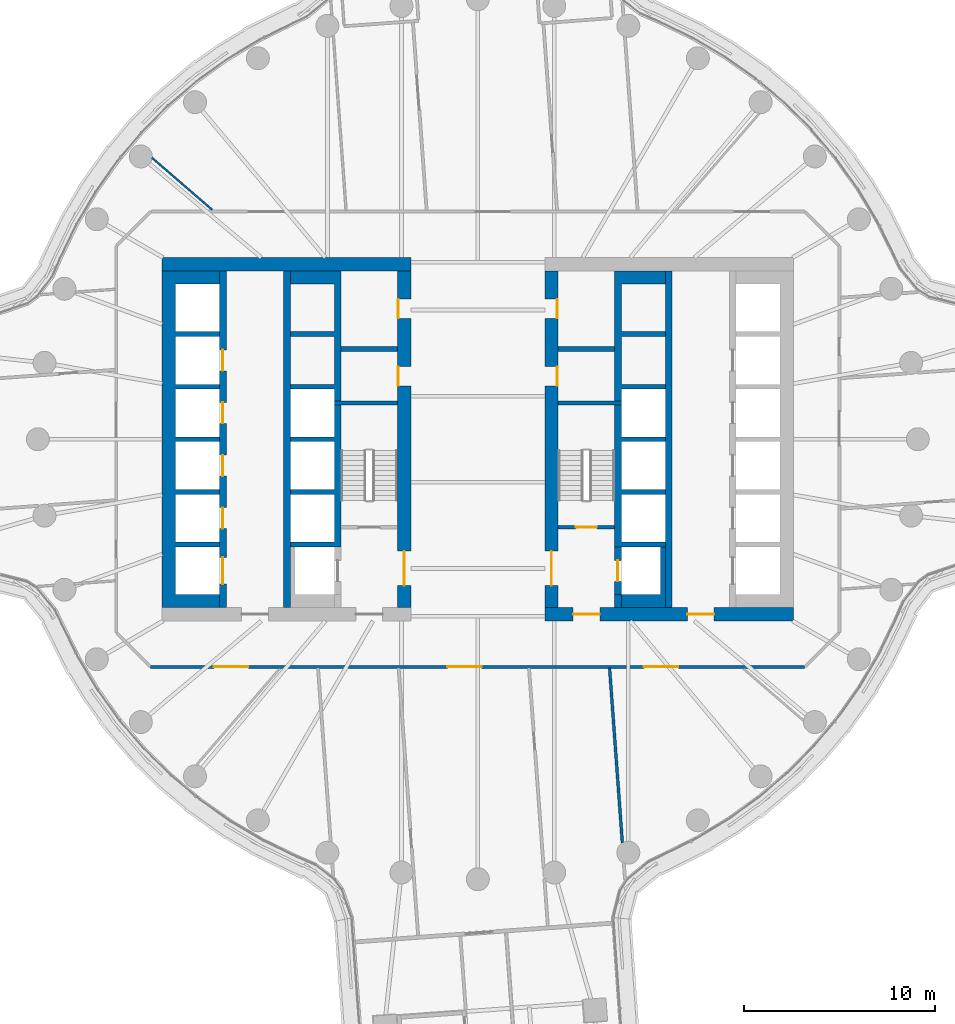
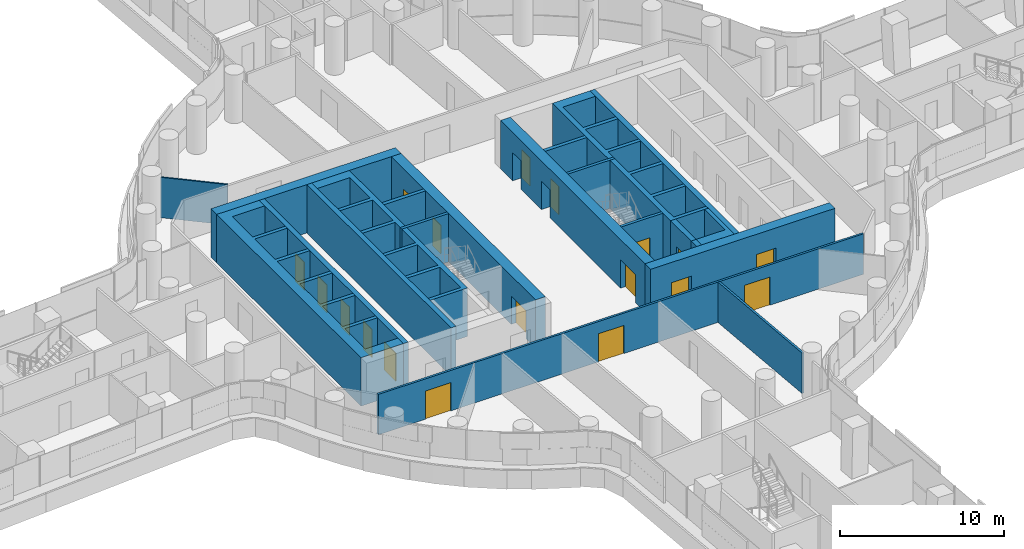
# One storey, part 21 of 31: 21 walls, 18 doors, 18 openings.
"""IFC4 building model written with IfcOpenShell, lengths in metres."""

from ifc_helpers import new_model, si_unit, direction, frame, frame_2d, origin, place, context, subcontext, project, spatial, polyline, rectangle, outline, extrude, material, layer, layer_set, type_object, element, fill, save


model = new_model("IFC4")

# Units and contexts
model_context = context("Model", 3, precision=1e-05, world=origin(), true_north=direction((0.0, 1.0)))
body_context = subcontext(model_context, "Body", "Model", "MODEL_VIEW")
ifc_project = project(units=[si_unit("LENGTHUNIT", "METRE"), si_unit("AREAUNIT", "SQUARE_METRE"), si_unit("VOLUMEUNIT", "CUBIC_METRE"), si_unit("PLANEANGLEUNIT", "RADIAN"), si_unit("MASSUNIT", "GRAM", prefix="KILO")], contexts=[model_context])

# Site, building, storey
site_placement = place(None, origin())
site = spatial("IfcSite", under=ifc_project, at=site_placement, CompositionType="ELEMENT")
building_placement = place(site_placement, origin())
building = spatial("IfcBuilding", under=site, at=building_placement, Name="Tamarind Cross Interchange Tower", CompositionType="ELEMENT")
storey_placement = place(building_placement, frame((0.0, 0.0, 49.0)))
storey = spatial("IfcBuildingStorey", under=building, at=storey_placement, Name="L10", CompositionType="ELEMENT", Elevation=49.0)

# Walls
ifc_material_1 = material(Name="Concrete C80", Category="concrete")
ifc_layer_1 = layer(ifc_material_1, 0.699951171875)
ifc_layer_set_1 = layer_set([ifc_layer_1], Name="Concrete C80")
wall_type_1 = type_object("IfcWallType", Name="Core wall 700 mm Concrete C80", PredefinedType="SHEAR", material=ifc_layer_set_1)
wall_1_placement = place(storey_placement, origin())
element("IfcWall", 1, at=wall_1_placement, inside=storey, type_object=wall_type_1, Name="Core wall CWL-L10-W-A", PredefinedType="SHEAR", context=body_context, shape_type="SweptSolid", body=[
    extrude(outline(polyline([(-13.5, -8.800048828125), (-13.5, -8.125), (-15.800048828125, -8.125), (-15.800048828125, -5.625), (-13.5, -5.625), (-13.5, -5.375), (-15.800048828125, -5.375), (-15.800048828125, -2.875), (-13.5, -2.875), (-13.5, -2.625), (-15.800048828125, -2.625), (-15.800048828125, -0.125), (-13.5, -0.125), (-13.5, 0.125), (-15.800048828125, 0.125), (-15.800048828125, 2.625), (-13.5, 2.625), (-13.5, 2.875), (-15.800048828125, 2.875), (-15.800048828125, 5.375), (-13.5, 5.375), (-13.5, 5.625), (-15.800048828125, 5.625), (-15.800048828125, 8.125), (-13.5, 8.125), (-13.5, 8.800048828125), (-15.800048828125, 8.800048828125), (-16.5, 8.800048828125), (-16.5, -8.800048828125), (-15.800048828125, -8.800048828125), (-13.5, -8.800048828125)])), origin(), (0.0, 0.0, 1.0), 3.610107421875),
])
wall_2_placement = place(storey_placement, frame((-16.5, 9.14990234375, 0.0), z_axis=(0.0, 0.0, 1.0), x_axis=(1.0, 0.0, 0.0)))
element("IfcWall", 2, at=wall_2_placement, inside=storey, type_object=wall_type_1, Name="Core wall CWL-L10-W-NE", PredefinedType="SHEAR", context=body_context, shape_type="SweptSolid", body=[
    extrude(rectangle(XDim=13.0, YDim=0.699951171875, at=frame_2d((6.5, 0.0))), origin(), (0.0, 0.0, 1.0), 3.610107421875),
])

# Wall, openings, doors
wall_3_placement = place(storey_placement, frame((-3.85009765625, -8.800048828125, 0.0), z_axis=(0.0, 0.0, 1.0), x_axis=(0.0, 1.0, 0.0)))
wall_3 = element("IfcWall", 3, at=wall_3_placement, inside=storey, type_object=wall_type_1, Name="Core wall CWL-L10-W-IN", PredefinedType="SHEAR", context=body_context, shape_type="SweptSolid", body=[
    extrude(rectangle(XDim=17.60009765625, YDim=0.699951171875, at=frame_2d((8.800048828125, 0.0))), origin(), (0.0, 0.0, 1.0), 3.610107421875),
])
opening_1_placement = place(wall_3_placement, frame((1.14990234375, 0.0, 0.0)))
opening_1 = element("IfcOpeningElement", 4, at=opening_1_placement, cuts=wall_3, Name="Opening DCW4", PredefinedType="OPENING", context=body_context, shape_type="SweptSolid", body=[
    extrude(rectangle(XDim=1.800048828125, YDim=2.10009765625, at=frame_2d((0.89990234375, 1.050048828125))), frame((0.0, 0.35986328125, 0.0), z_axis=(0.0, -1.0, 0.0), x_axis=(1.0, 0.0, 0.0)), (0.0, 0.0, 1.0), 0.719970703125),
])
opening_2_placement = place(wall_3_placement, frame((11.597412109375, 0.0, 0.0)))
opening_2 = element("IfcOpeningElement", 5, at=opening_2_placement, cuts=wall_3, Name="Opening DCW5", PredefinedType="OPENING", context=body_context, shape_type="SweptSolid", body=[
    extrude(rectangle(XDim=1.0, YDim=2.10009765625, at=frame_2d((0.5, 1.050048828125))), frame((0.0, 0.35986328125, 0.0), z_axis=(0.0, -1.0, 0.0), x_axis=(1.0, 0.0, 0.0)), (0.0, 0.0, 1.0), 0.719970703125),
])
opening_3_placement = place(wall_3_placement, frame((15.12255859375, 0.0, 0.0)))
opening_3 = element("IfcOpeningElement", 6, at=opening_3_placement, cuts=wall_3, Name="Opening DCW5", PredefinedType="OPENING", context=body_context, shape_type="SweptSolid", body=[
    extrude(rectangle(XDim=1.0, YDim=2.10009765625, at=frame_2d((0.5, 1.050048828125))), frame((0.0, 0.35986328125, 0.0), z_axis=(0.0, -1.0, 0.0), x_axis=(1.0, 0.0, 0.0)), (0.0, 0.0, 1.0), 0.719970703125),
])
ifc_material_2 = material(Name="Steel, fire-resisting", Category="steel")
door_type_1 = type_object("IfcDoorType", Name="Core fire door 1000 x 2100 FD90", OperationType="SINGLE_SWING_LEFT", PredefinedType="DOOR", material=ifc_material_2)
door_1_placement = place(opening_2_placement, origin())
door_1 = element("IfcDoor", 7, at=door_1_placement, inside=storey, type_object=door_type_1, Name="L10 comms room door", OperationType="SINGLE_SWING_LEFT", OverallHeight=2.10009765625, OverallWidth=1.0, PredefinedType="DOOR", context=body_context, shape_type="SweptSolid", body=[
    extrude(rectangle(XDim=1.0, YDim=2.10009765625, at=frame_2d((0.5, 1.050048828125))), frame((0.0, 0.3251953125, 0.0), z_axis=(0.0, -1.0, 0.0), x_axis=(1.0, 0.0, 0.0)), (0.0, 0.0, 1.0), 0.050048828125),
])
fill(opening_2, door_1)
door_2_placement = place(opening_3_placement, origin())
door_2 = element("IfcDoor", 8, at=door_2_placement, inside=storey, type_object=door_type_1, Name="L10 cleaner's store door", OperationType="SINGLE_SWING_LEFT", OverallHeight=2.10009765625, OverallWidth=1.0, PredefinedType="DOOR", context=body_context, shape_type="SweptSolid", body=[
    extrude(rectangle(XDim=1.0, YDim=2.10009765625, at=frame_2d((0.5, 1.050048828125))), frame((0.0, 0.3251953125, 0.0), z_axis=(0.0, -1.0, 0.0), x_axis=(1.0, 0.0, 0.0)), (0.0, 0.0, 1.0), 0.050048828125),
])
fill(opening_3, door_2)
door_type_2 = type_object("IfcDoorType", Name="Core fire door 1800 x 2100 FD90", OperationType="SINGLE_SWING_LEFT", PredefinedType="DOOR", material=ifc_material_2)
door_3_placement = place(opening_1_placement, origin())
door_3 = element("IfcDoor", 9, at=door_3_placement, inside=storey, type_object=door_type_2, Name="L10 firefighting lobby door", OperationType="SINGLE_SWING_LEFT", OverallHeight=2.10009765625, OverallWidth=1.800048828125, PredefinedType="DOOR", context=body_context, shape_type="SweptSolid", body=[
    extrude(rectangle(XDim=1.800048828125, YDim=2.10009765625, at=frame_2d((0.89990234375, 1.050048828125))), frame((0.0, 0.02490234375, 0.0), z_axis=(0.0, -1.0, 0.0), x_axis=(1.0, 0.0, 0.0)), (0.0, 0.0, 1.0), 0.050048828125),
])
fill(opening_1, door_3)

wall_4_placement = place(storey_placement, frame((16.5, -9.14990234375, 0.0), z_axis=(0.0, 0.0, 1.0), x_axis=(-1.0, 0.0, 0.0)))
wall_4 = element("IfcWall", 10, at=wall_4_placement, inside=storey, type_object=wall_type_1, Name="Core wall CWL-L10-E-S", PredefinedType="SHEAR", context=body_context, shape_type="SweptSolid", body=[
    extrude(rectangle(XDim=13.0, YDim=0.699951171875, at=frame_2d((6.5, 0.0))), origin(), (0.0, 0.0, 1.0), 3.610107421875),
])
opening_4_placement = place(wall_4_placement, frame((4.14990234375, 0.0, 0.0)))
opening_4 = element("IfcOpeningElement", 11, at=opening_4_placement, cuts=wall_4, Name="Opening DCE1", PredefinedType="OPENING", context=body_context, shape_type="SweptSolid", body=[
    extrude(rectangle(XDim=1.39990234375, YDim=2.10009765625, at=frame_2d((0.699951171875, 1.050048828125))), frame((0.0, 0.35986328125, 0.0), z_axis=(0.0, -1.0, 0.0), x_axis=(1.0, 0.0, 0.0)), (0.0, 0.0, 1.0), 0.719970703125),
])
opening_5_placement = place(wall_4_placement, frame((10.125, 0.0, 0.0)))
opening_5 = element("IfcOpeningElement", 12, at=opening_5_placement, cuts=wall_4, Name="Opening DCEF", PredefinedType="OPENING", context=body_context, shape_type="SweptSolid", body=[
    extrude(rectangle(XDim=1.39990234375, YDim=2.10009765625, at=frame_2d((0.699951171875, 1.050048828125))), frame((0.0, 0.35986328125, 0.0), z_axis=(0.0, -1.0, 0.0), x_axis=(1.0, 0.0, 0.0)), (0.0, 0.0, 1.0), 0.719970703125),
])
door_type_3 = type_object("IfcDoorType", Name="Core fire door 1400 x 2100 FD90", OperationType="SINGLE_SWING_LEFT", PredefinedType="DOOR", material=ifc_material_2)
door_4_placement = place(opening_4_placement, origin())
door_4 = element("IfcDoor", 13, at=door_4_placement, inside=storey, type_object=door_type_3, Name="L10 lift lobby door", OperationType="SINGLE_SWING_LEFT", OverallHeight=2.10009765625, OverallWidth=1.39990234375, PredefinedType="DOOR", context=body_context, shape_type="SweptSolid", body=[
    extrude(rectangle(XDim=1.39990234375, YDim=2.10009765625, at=frame_2d((0.699951171875, 1.050048828125))), frame((0.0, 0.02490234375, 0.0), z_axis=(0.0, -1.0, 0.0), x_axis=(1.0, 0.0, 0.0)), (0.0, 0.0, 1.0), 0.050048828125),
])
fill(opening_4, door_4)
door_5_placement = place(opening_5_placement, origin())
door_5 = element("IfcDoor", 14, at=door_5_placement, inside=storey, type_object=door_type_3, Name="L10 firefighting lobby end door", OperationType="SINGLE_SWING_LEFT", OverallHeight=2.10009765625, OverallWidth=1.39990234375, PredefinedType="DOOR", context=body_context, shape_type="SweptSolid", body=[
    extrude(rectangle(XDim=1.39990234375, YDim=2.10009765625, at=frame_2d((0.699951171875, 1.050048828125))), frame((0.0, 0.02490234375, 0.0), z_axis=(0.0, -1.0, 0.0), x_axis=(1.0, 0.0, 0.0)), (0.0, 0.0, 1.0), 0.050048828125),
])
fill(opening_5, door_5)

wall_5_placement = place(storey_placement, frame((3.85009765625, -8.800048828125, 0.0), z_axis=(0.0, 0.0, 1.0), x_axis=(0.0, 1.0, 0.0)))
wall_5 = element("IfcWall", 15, at=wall_5_placement, inside=storey, type_object=wall_type_1, Name="Core wall CWL-L10-E-IN", PredefinedType="SHEAR", context=body_context, shape_type="SweptSolid", body=[
    extrude(rectangle(XDim=17.60009765625, YDim=0.699951171875, at=frame_2d((8.800048828125, 0.0))), origin(), (0.0, 0.0, 1.0), 3.610107421875),
])
opening_6_placement = place(wall_5_placement, frame((1.14990234375, 0.0, 0.0)))
opening_6 = element("IfcOpeningElement", 16, at=opening_6_placement, cuts=wall_5, Name="Opening DCE4", PredefinedType="OPENING", context=body_context, shape_type="SweptSolid", body=[
    extrude(rectangle(XDim=1.800048828125, YDim=2.10009765625, at=frame_2d((0.89990234375, 1.050048828125))), frame((0.0, 0.35986328125, 0.0), z_axis=(0.0, -1.0, 0.0), x_axis=(1.0, 0.0, 0.0)), (0.0, 0.0, 1.0), 0.719970703125),
])
opening_7_placement = place(wall_5_placement, frame((11.597412109375, 0.0, 0.0)))
opening_7 = element("IfcOpeningElement", 17, at=opening_7_placement, cuts=wall_5, Name="Opening DCE5", PredefinedType="OPENING", context=body_context, shape_type="SweptSolid", body=[
    extrude(rectangle(XDim=1.0, YDim=2.10009765625, at=frame_2d((0.5, 1.050048828125))), frame((0.0, 0.35986328125, 0.0), z_axis=(0.0, -1.0, 0.0), x_axis=(1.0, 0.0, 0.0)), (0.0, 0.0, 1.0), 0.719970703125),
])
opening_8_placement = place(wall_5_placement, frame((15.12255859375, 0.0, 0.0)))
opening_8 = element("IfcOpeningElement", 18, at=opening_8_placement, cuts=wall_5, Name="Opening DCE5", PredefinedType="OPENING", context=body_context, shape_type="SweptSolid", body=[
    extrude(rectangle(XDim=1.0, YDim=2.10009765625, at=frame_2d((0.5, 1.050048828125))), frame((0.0, 0.35986328125, 0.0), z_axis=(0.0, -1.0, 0.0), x_axis=(1.0, 0.0, 0.0)), (0.0, 0.0, 1.0), 0.719970703125),
])
door_6_placement = place(opening_7_placement, origin())
door_6 = element("IfcDoor", 19, at=door_6_placement, inside=storey, type_object=door_type_1, Name="L10 comms room door", OperationType="SINGLE_SWING_LEFT", OverallHeight=2.10009765625, OverallWidth=1.0, PredefinedType="DOOR", context=body_context, shape_type="SweptSolid", body=[
    extrude(rectangle(XDim=1.0, YDim=2.10009765625, at=frame_2d((0.5, 1.050048828125))), frame((0.0, -0.27490234375, 0.0), z_axis=(0.0, -1.0, 0.0), x_axis=(1.0, 0.0, 0.0)), (0.0, 0.0, 1.0), 0.050048828125),
])
fill(opening_7, door_6)
door_7_placement = place(opening_8_placement, origin())
door_7 = element("IfcDoor", 20, at=door_7_placement, inside=storey, type_object=door_type_1, Name="L10 cleaner's store door", OperationType="SINGLE_SWING_LEFT", OverallHeight=2.10009765625, OverallWidth=1.0, PredefinedType="DOOR", context=body_context, shape_type="SweptSolid", body=[
    extrude(rectangle(XDim=1.0, YDim=2.10009765625, at=frame_2d((0.5, 1.050048828125))), frame((0.0, -0.27490234375, 0.0), z_axis=(0.0, -1.0, 0.0), x_axis=(1.0, 0.0, 0.0)), (0.0, 0.0, 1.0), 0.050048828125),
])
fill(opening_8, door_7)
door_8_placement = place(opening_6_placement, origin())
door_8 = element("IfcDoor", 21, at=door_8_placement, inside=storey, type_object=door_type_2, Name="L10 firefighting lobby door", OperationType="SINGLE_SWING_LEFT", OverallHeight=2.10009765625, OverallWidth=1.800048828125, PredefinedType="DOOR", context=body_context, shape_type="SweptSolid", body=[
    extrude(rectangle(XDim=1.800048828125, YDim=2.10009765625, at=frame_2d((0.89990234375, 1.050048828125))), frame((0.0, 0.02490234375, 0.0), z_axis=(0.0, -1.0, 0.0), x_axis=(1.0, 0.0, 0.0)), (0.0, 0.0, 1.0), 0.050048828125),
])
fill(opening_6, door_8)

# Walls
ifc_layer_2 = layer(ifc_material_1, 0.199951171875)
ifc_layer_set_2 = layer_set([ifc_layer_2], Name="Concrete C80")
wall_type_2 = type_object("IfcWallType", Name="Core web wall 200 mm Concrete C80", PredefinedType="SHEAR", material=ifc_layer_set_2)
for number, where, z_axis, x_axis, name in (
    (22, (-7.5, 1.89990234375, 0.0), (0.0, 0.0, 1.0), (1.0, 0.0, 0.0), "Core wall CWL-L10-W-BD"),
    (23, (7.5, 1.89990234375, 0.0), (0.0, 0.0, 1.0), (-1.0, 0.0, 0.0), "Core wall CWL-L10-E-BD"),
):
    element("IfcWall", number, at=place(storey_placement, frame(where, z_axis=z_axis, x_axis=x_axis)), inside=storey, type_object=wall_type_2, Name=name, PredefinedType="SHEAR", context=body_context, shape_type="SweptSolid", body=[
        extrude(rectangle(XDim=3.300048828125, YDim=0.199951171875, at=frame_2d((1.64990234375, 0.0))), origin(), (0.0, 0.0, 1.0), 3.610107421875),
    ])
ifc_layer_3 = layer(ifc_material_1, 0.35009765625)
ifc_layer_set_3 = layer_set([ifc_layer_3], Name="Concrete C80")
wall_type_3 = type_object("IfcWallType", Name="Core web wall 350 mm Concrete C80", PredefinedType="SHEAR", material=ifc_layer_set_3)
wall_6_placement = place(storey_placement, origin())
element("IfcWall", 24, at=wall_6_placement, inside=storey, type_object=wall_type_3, Name="Core wall CWL-L10-W-BN", PredefinedType="SHEAR", context=body_context, shape_type="SweptSolid", body=[
    extrude(outline(polyline([(-9.800048828125, -5.375), (-9.800048828125, -5.625), (-7.5, -5.625), (-7.14990234375, -5.625), (-7.14990234375, 8.800048828125), (-7.5, 8.800048828125), (-9.800048828125, 8.800048828125), (-9.800048828125, 8.125), (-7.5, 8.125), (-7.5, 5.625), (-9.800048828125, 5.625), (-9.800048828125, 5.375), (-7.5, 5.375), (-7.5, 2.875), (-9.800048828125, 2.875), (-9.800048828125, 2.625), (-7.5, 2.625), (-7.5, 0.125), (-9.800048828125, 0.125), (-9.800048828125, -0.125), (-7.5, -0.125), (-7.5, -2.625), (-9.800048828125, -2.625), (-9.800048828125, -2.875), (-7.5, -2.875), (-7.5, -5.375), (-9.800048828125, -5.375)])), origin(), (0.0, 0.0, 1.0), 3.610107421875),
])

# Wall, openings, doors
wall_7_placement = place(storey_placement, frame((-13.324951171875, -8.800048828125, 0.0), z_axis=(0.0, 0.0, 1.0), x_axis=(0.0, 1.0, 0.0)))
wall_7 = element("IfcWall", 25, at=wall_7_placement, inside=storey, type_object=wall_type_3, Name="Core wall CWL-L10-W-LA", PredefinedType="SHEAR", context=body_context, shape_type="SweptSolid", body=[
    extrude(rectangle(XDim=17.60009765625, YDim=0.35009765625, at=frame_2d((8.800048828125, 0.0))), origin(), (0.0, 0.0, 1.0), 3.610107421875),
])
opening_9_placement = place(wall_7_placement, frame((1.22509765625, 0.0, 0.0)))
opening_9 = element("IfcOpeningElement", 26, at=opening_9_placement, cuts=wall_7, Name="Opening LD1L10", PredefinedType="OPENING", context=body_context, shape_type="SweptSolid", body=[
    extrude(rectangle(XDim=1.39990234375, YDim=2.10009765625, at=frame_2d((0.699951171875, 1.050048828125))), frame((0.0, 0.18505859375, 0.0), z_axis=(0.0, -1.0, 0.0), x_axis=(1.0, 0.0, 0.0)), (0.0, 0.0, 1.0), 0.3701171875),
])
opening_10_placement = place(wall_7_placement, frame((4.125, 0.0, 0.0)))
opening_10 = element("IfcOpeningElement", 27, at=opening_10_placement, cuts=wall_7, Name="Opening LD2L10", PredefinedType="OPENING", context=body_context, shape_type="SweptSolid", body=[
    extrude(rectangle(XDim=1.10009765625, YDim=2.10009765625, at=frame_2d((0.550048828125, 1.050048828125))), frame((0.0, 0.18505859375, 0.0), z_axis=(0.0, -1.0, 0.0), x_axis=(1.0, 0.0, 0.0)), (0.0, 0.0, 1.0), 0.3701171875),
])
opening_11_placement = place(wall_7_placement, frame((6.875, 0.0, 0.0)))
opening_11 = element("IfcOpeningElement", 28, at=opening_11_placement, cuts=wall_7, Name="Opening LD3L10", PredefinedType="OPENING", context=body_context, shape_type="SweptSolid", body=[
    extrude(rectangle(XDim=1.10009765625, YDim=2.10009765625, at=frame_2d((0.550048828125, 1.050048828125))), frame((0.0, 0.18505859375, 0.0), z_axis=(0.0, -1.0, 0.0), x_axis=(1.0, 0.0, 0.0)), (0.0, 0.0, 1.0), 0.3701171875),
])
opening_12_placement = place(wall_7_placement, frame((9.625, 0.0, 0.0)))
opening_12 = element("IfcOpeningElement", 29, at=opening_12_placement, cuts=wall_7, Name="Opening LD4L10", PredefinedType="OPENING", context=body_context, shape_type="SweptSolid", body=[
    extrude(rectangle(XDim=1.10009765625, YDim=2.10009765625, at=frame_2d((0.550048828125, 1.050048828125))), frame((0.0, 0.18505859375, 0.0), z_axis=(0.0, -1.0, 0.0), x_axis=(1.0, 0.0, 0.0)), (0.0, 0.0, 1.0), 0.3701171875),
])
opening_13_placement = place(wall_7_placement, frame((12.375, 0.0, 0.0)))
opening_13 = element("IfcOpeningElement", 30, at=opening_13_placement, cuts=wall_7, Name="Opening LD5L10", PredefinedType="OPENING", context=body_context, shape_type="SweptSolid", body=[
    extrude(rectangle(XDim=1.10009765625, YDim=2.10009765625, at=frame_2d((0.550048828125, 1.050048828125))), frame((0.0, 0.18505859375, 0.0), z_axis=(0.0, -1.0, 0.0), x_axis=(1.0, 0.0, 0.0)), (0.0, 0.0, 1.0), 0.3701171875),
])
ifc_material_3 = material(Name="Stainless steel panel", Category="steel")
door_type_4 = type_object("IfcDoorType", Name="Lift landing door 1100 x 2100 E 120", OperationType="SLIDING_TO_LEFT", PredefinedType="DOOR", material=ifc_material_3)
door_9_placement = place(opening_10_placement, origin())
door_9 = element("IfcDoor", 31, at=door_9_placement, inside=storey, type_object=door_type_4, Name="L10 landing door LF2", OperationType="SLIDING_TO_LEFT", OverallHeight=2.10009765625, OverallWidth=1.10009765625, PredefinedType="DOOR", context=body_context, shape_type="SweptSolid", body=[
    extrude(rectangle(XDim=1.10009765625, YDim=2.10009765625, at=frame_2d((0.550048828125, 1.050048828125))), frame((0.0, 0.02490234375, 0.0), z_axis=(0.0, -1.0, 0.0), x_axis=(1.0, 0.0, 0.0)), (0.0, 0.0, 1.0), 0.050048828125),
])
fill(opening_10, door_9)
door_10_placement = place(opening_11_placement, origin())
door_10 = element("IfcDoor", 32, at=door_10_placement, inside=storey, type_object=door_type_4, Name="L10 landing door LF3", OperationType="SLIDING_TO_LEFT", OverallHeight=2.10009765625, OverallWidth=1.10009765625, PredefinedType="DOOR", context=body_context, shape_type="SweptSolid", body=[
    extrude(rectangle(XDim=1.10009765625, YDim=2.10009765625, at=frame_2d((0.550048828125, 1.050048828125))), frame((0.0, 0.02490234375, 0.0), z_axis=(0.0, -1.0, 0.0), x_axis=(1.0, 0.0, 0.0)), (0.0, 0.0, 1.0), 0.050048828125),
])
fill(opening_11, door_10)
door_11_placement = place(opening_12_placement, origin())
door_11 = element("IfcDoor", 33, at=door_11_placement, inside=storey, type_object=door_type_4, Name="L10 landing door LF4", OperationType="SLIDING_TO_LEFT", OverallHeight=2.10009765625, OverallWidth=1.10009765625, PredefinedType="DOOR", context=body_context, shape_type="SweptSolid", body=[
    extrude(rectangle(XDim=1.10009765625, YDim=2.10009765625, at=frame_2d((0.550048828125, 1.050048828125))), frame((0.0, 0.02490234375, 0.0), z_axis=(0.0, -1.0, 0.0), x_axis=(1.0, 0.0, 0.0)), (0.0, 0.0, 1.0), 0.050048828125),
])
fill(opening_12, door_11)
door_12_placement = place(opening_13_placement, origin())
door_12 = element("IfcDoor", 34, at=door_12_placement, inside=storey, type_object=door_type_4, Name="L10 landing door LF5", OperationType="SLIDING_TO_LEFT", OverallHeight=2.10009765625, OverallWidth=1.10009765625, PredefinedType="DOOR", context=body_context, shape_type="SweptSolid", body=[
    extrude(rectangle(XDim=1.10009765625, YDim=2.10009765625, at=frame_2d((0.550048828125, 1.050048828125))), frame((0.0, 0.02490234375, 0.0), z_axis=(0.0, -1.0, 0.0), x_axis=(1.0, 0.0, 0.0)), (0.0, 0.0, 1.0), 0.050048828125),
])
fill(opening_13, door_12)
door_type_5 = type_object("IfcDoorType", Name="Lift landing door 1400 x 2100 E 120", OperationType="SLIDING_TO_LEFT", PredefinedType="DOOR", material=ifc_material_3)
door_13_placement = place(opening_9_placement, origin())
door_13 = element("IfcDoor", 35, at=door_13_placement, inside=storey, type_object=door_type_5, Name="L10 landing door LF1", OperationType="SLIDING_TO_LEFT", OverallHeight=2.10009765625, OverallWidth=1.39990234375, PredefinedType="DOOR", context=body_context, shape_type="SweptSolid", body=[
    extrude(rectangle(XDim=1.39990234375, YDim=2.10009765625, at=frame_2d((0.699951171875, 1.050048828125))), frame((0.0, 0.02490234375, 0.0), z_axis=(0.0, -1.0, 0.0), x_axis=(1.0, 0.0, 0.0)), (0.0, 0.0, 1.0), 0.050048828125),
])
fill(opening_9, door_13)

# Walls
wall_8_placement = place(storey_placement, frame((-9.97509765625, -8.800048828125, 0.0), z_axis=(0.0, 0.0, 1.0), x_axis=(0.0, 1.0, 0.0)))
element("IfcWall", 36, at=wall_8_placement, inside=storey, type_object=wall_type_3, Name="Core wall CWL-L10-W-LB", PredefinedType="SHEAR", context=body_context, shape_type="SweptSolid", body=[
    extrude(rectangle(XDim=17.60009765625, YDim=0.35009765625, at=frame_2d((8.800048828125, 0.0))), origin(), (0.0, 0.0, 1.0), 3.610107421875),
])
wall_9_placement = place(storey_placement, origin())
element("IfcWall", 37, at=wall_9_placement, inside=storey, type_object=wall_type_3, Name="Core wall CWL-L10-E-BN", PredefinedType="SHEAR", context=body_context, shape_type="SweptSolid", body=[
    extrude(outline(polyline([(9.800048828125, -5.375), (7.5, -5.375), (7.5, -2.875), (9.800048828125, -2.875), (9.800048828125, -2.625), (7.5, -2.625), (7.5, -0.125), (9.800048828125, -0.125), (9.800048828125, 0.125), (7.5, 0.125), (7.5, 2.625), (9.800048828125, 2.625), (9.800048828125, 2.875), (7.5, 2.875), (7.5, 5.375), (9.800048828125, 5.375), (9.800048828125, 5.625), (7.5, 5.625), (7.5, 8.125), (9.800048828125, 8.125), (9.800048828125, 8.800048828125), (7.5, 8.800048828125), (7.14990234375, 8.800048828125), (7.14990234375, -5.625), (7.5, -5.625), (9.800048828125, -5.625), (9.800048828125, -5.375)])), origin(), (0.0, 0.0, 1.0), 3.610107421875),
])
wall_10_placement = place(storey_placement, origin())
element("IfcWall", 38, at=wall_10_placement, inside=storey, type_object=wall_type_3, Name="Core wall CWL-L10-E-BS", PredefinedType="SHEAR", context=body_context, shape_type="SweptSolid", body=[
    extrude(outline(polyline([(7.5, -8.125), (7.5, -8.800048828125), (9.800048828125, -8.800048828125), (9.800048828125, -8.125), (9.800048828125, -5.625), (9.550048828125, -5.625), (9.550048828125, -8.125), (7.5, -8.125)])), origin(), (0.0, 0.0, 1.0), 3.610107421875),
])
wall_11_placement = place(storey_placement, frame((7.324951171875, -8.800048828125, 0.0), z_axis=(0.0, 0.0, 1.0), x_axis=(0.0, 1.0, 0.0)))
element("IfcWall", 39, at=wall_11_placement, inside=storey, type_object=wall_type_3, Name="Core wall CWL-L10-E-BW", PredefinedType="SHEAR", context=body_context, shape_type="SweptSolid", body=[
    extrude(rectangle(XDim=0.675048828125, YDim=0.35009765625, at=frame_2d((0.33740234375, 0.0))), origin(), (0.0, 0.0, 1.0), 3.610107421875),
])
wall_12_placement = place(storey_placement, frame((9.97509765625, -8.800048828125, 0.0), z_axis=(0.0, 0.0, 1.0), x_axis=(0.0, 1.0, 0.0)))
element("IfcWall", 40, at=wall_12_placement, inside=storey, type_object=wall_type_3, Name="Core wall CWL-L10-E-LB", PredefinedType="SHEAR", context=body_context, shape_type="SweptSolid", body=[
    extrude(rectangle(XDim=17.60009765625, YDim=0.35009765625, at=frame_2d((8.800048828125, 0.0))), origin(), (0.0, 0.0, 1.0), 3.610107421875),
])

# Wall, opening, door
wall_13_placement = place(storey_placement, frame((7.324951171875, -8.125, 0.0), z_axis=(0.0, 0.0, 1.0), x_axis=(0.0, 1.0, 0.0)))
wall_13 = element("IfcWall", 41, at=wall_13_placement, inside=storey, type_object=wall_type_3, Name="Core wall CWL-L10-E-FF", PredefinedType="SHEAR", context=body_context, shape_type="SweptSolid", body=[
    extrude(rectangle(XDim=2.5, YDim=0.35009765625, at=frame_2d((1.25, 0.0))), origin(), (0.0, 0.0, 1.0), 3.610107421875),
])
opening_14_placement = place(wall_13_placement, frame((0.699951171875, 0.0, 0.0)))
opening_14 = element("IfcOpeningElement", 42, at=opening_14_placement, cuts=wall_13, Name="Opening LD19L10", PredefinedType="OPENING", context=body_context, shape_type="SweptSolid", body=[
    extrude(rectangle(XDim=1.10009765625, YDim=2.10009765625, at=frame_2d((0.550048828125, 1.050048828125))), frame((0.0, 0.18505859375, 0.0), z_axis=(0.0, -1.0, 0.0), x_axis=(1.0, 0.0, 0.0)), (0.0, 0.0, 1.0), 0.3701171875),
])
door_14_placement = place(opening_14_placement, origin())
door_14 = element("IfcDoor", 43, at=door_14_placement, inside=storey, type_object=door_type_4, Name="L10 landing door LF19", OperationType="SLIDING_TO_LEFT", OverallHeight=2.10009765625, OverallWidth=1.10009765625, PredefinedType="DOOR", context=body_context, shape_type="SweptSolid", body=[
    extrude(rectangle(XDim=1.10009765625, YDim=2.10009765625, at=frame_2d((0.550048828125, 1.050048828125))), frame((0.0, 0.02490234375, 0.0), z_axis=(0.0, -1.0, 0.0), x_axis=(1.0, 0.0, 0.0)), (0.0, 0.0, 1.0), 0.050048828125),
])
fill(opening_14, door_14)

# Walls
ifc_material_4 = material(Name="Gypsum board partition on steel studs", Category="steel")
ifc_layer_4 = layer(ifc_material_4, 0.10009765625)
ifc_layer_set_4 = layer_set([ifc_layer_4], Name="Gypsum board partition on steel studs")
wall_type_4 = type_object("IfcWallType", Name="Partition 100 mm EI 120", PredefinedType="PARTITIONING", material=ifc_layer_set_4)
wall_14_placement = place(storey_placement, frame((-17.02880859375, 14.7099609375, 0.0), z_axis=(0.0, 0.0, 1.0), x_axis=(0.756748987317, -0.653705568429, 0.0)))
element("IfcWall", 44, at=wall_14_placement, inside=storey, type_object=wall_type_4, Name="Partition L10-037", PredefinedType="PARTITIONING", context=body_context, shape_type="SweptSolid", body=[
    extrude(rectangle(XDim=4.1533203125, YDim=0.10009765625, at=frame_2d((2.07666015625, 0.0))), origin(), (0.0, 0.0, 1.0), 3.010009765625),
])
ifc_layer_5 = layer(ifc_material_4, 0.14990234375)
ifc_layer_set_5 = layer_set([ifc_layer_5], Name="Gypsum board partition on steel studs")
wall_type_5 = type_object("IfcWallType", Name="Partition 150 mm EI 120", PredefinedType="PARTITIONING", material=ifc_layer_set_5)
wall_15_placement = place(storey_placement, frame((6.88671875, -11.96484375, 0.0), z_axis=(0.0, 0.0, 1.0), x_axis=(0.072907683345, -0.997338693579, 0.0)))
element("IfcWall", 45, at=wall_15_placement, inside=storey, type_object=wall_type_5, Name="Partition L10-025", PredefinedType="PARTITIONING", context=body_context, shape_type="SweptSolid", body=[
    extrude(rectangle(XDim=9.15185546875, YDim=0.14990234375, at=frame_2d((4.575927734375, 0.0))), origin(), (0.0, 0.0, 1.0), 3.010009765625),
])

# Wall, openings, doors
wall_16_placement = place(storey_placement, frame((-17.10009765625, -11.89990234375, 0.0), z_axis=(0.0, 0.0, 1.0), x_axis=(1.0, 0.0, 0.0)))
wall_16 = element("IfcWall", 46, at=wall_16_placement, inside=storey, type_object=wall_type_5, Name="Partition L10-039", PredefinedType="PARTITIONING", context=body_context, shape_type="SweptSolid", body=[
    extrude(rectangle(XDim=34.1650390625, YDim=0.14990234375, at=frame_2d((17.08251953125, 0.0))), origin(), (0.0, 0.0, 1.0), 3.010009765625),
])
opening_15_placement = place(wall_16_placement, frame((15.5029296875, 0.0, 0.0)))
opening_15 = element("IfcOpeningElement", 47, at=opening_15_placement, cuts=wall_16, Name="Opening D18", PredefinedType="OPENING", context=body_context, shape_type="SweptSolid", body=[
    extrude(rectangle(XDim=1.800048828125, YDim=2.10009765625, at=frame_2d((0.89990234375, 1.050048828125))), frame((0.0, 0.0849609375, 0.0), z_axis=(0.0, -1.0, 0.0), x_axis=(1.0, 0.0, 0.0)), (0.0, 0.0, 1.0), 0.169921875),
])
opening_16_placement = place(wall_16_placement, frame((3.300048828125, 0.0, 0.0)))
opening_16 = element("IfcOpeningElement", 48, at=opening_16_placement, cuts=wall_16, Name="Opening D19", PredefinedType="OPENING", context=body_context, shape_type="SweptSolid", body=[
    extrude(rectangle(XDim=1.800048828125, YDim=2.10009765625, at=frame_2d((0.89990234375, 1.050048828125))), frame((0.0, 0.0849609375, 0.0), z_axis=(0.0, -1.0, 0.0), x_axis=(1.0, 0.0, 0.0)), (0.0, 0.0, 1.0), 0.169921875),
])
opening_17_placement = place(wall_16_placement, frame((25.781982421875, 0.0, 0.0)))
opening_17 = element("IfcOpeningElement", 49, at=opening_17_placement, cuts=wall_16, Name="Opening D20", PredefinedType="OPENING", context=body_context, shape_type="SweptSolid", body=[
    extrude(rectangle(XDim=1.800048828125, YDim=2.10009765625, at=frame_2d((0.89990234375, 1.050048828125))), frame((0.0, 0.0849609375, 0.0), z_axis=(0.0, -1.0, 0.0), x_axis=(1.0, 0.0, 0.0)), (0.0, 0.0, 1.0), 0.169921875),
])
ifc_material_5 = material(Name="Fire-resisting door set")
door_type_6 = type_object("IfcDoorType", Name="Interior door 1800 x 2100 FD60S", OperationType="DOUBLE_DOOR_SINGLE_SWING", PredefinedType="DOOR", material=ifc_material_5)
door_15_placement = place(opening_15_placement, origin())
door_15 = element("IfcDoor", 50, at=door_15_placement, inside=storey, type_object=door_type_6, Name="Door D18", OperationType="DOUBLE_DOOR_SINGLE_SWING", OverallHeight=2.10009765625, OverallWidth=1.800048828125, PredefinedType="DOOR", context=body_context, shape_type="SweptSolid", body=[
    extrude(rectangle(XDim=1.800048828125, YDim=2.10009765625, at=frame_2d((0.89990234375, 1.050048828125))), frame((0.0, 0.02490234375, 0.0), z_axis=(0.0, -1.0, 0.0), x_axis=(1.0, 0.0, 0.0)), (0.0, 0.0, 1.0), 0.050048828125),
])
fill(opening_15, door_15)
door_16_placement = place(opening_16_placement, frame((1.800048828125, 0.0, 0.0), z_axis=(0.0, 0.0, 1.0), x_axis=(-1.0, 0.0, 0.0)))
door_16 = element("IfcDoor", 51, at=door_16_placement, inside=storey, type_object=door_type_6, Name="Door D19", OperationType="DOUBLE_DOOR_SINGLE_SWING", OverallHeight=2.10009765625, OverallWidth=1.800048828125, PredefinedType="DOOR", context=body_context, shape_type="SweptSolid", body=[
    extrude(rectangle(XDim=1.800048828125, YDim=2.10009765625, at=frame_2d((0.89990234375, 1.050048828125))), frame((0.0, 0.02490234375, 0.0), z_axis=(0.0, -1.0, 0.0), x_axis=(1.0, 0.0, 0.0)), (0.0, 0.0, 1.0), 0.050048828125),
])
fill(opening_16, door_16)
door_17_placement = place(opening_17_placement, frame((1.800048828125, 0.0, 0.0), z_axis=(0.0, 0.0, 1.0), x_axis=(-1.0, 0.0, 0.0)))
door_17 = element("IfcDoor", 52, at=door_17_placement, inside=storey, type_object=door_type_6, Name="Door D20", OperationType="DOUBLE_DOOR_SINGLE_SWING", OverallHeight=2.10009765625, OverallWidth=1.800048828125, PredefinedType="DOOR", context=body_context, shape_type="SweptSolid", body=[
    extrude(rectangle(XDim=1.800048828125, YDim=2.10009765625, at=frame_2d((0.89990234375, 1.050048828125))), frame((0.0, 0.02490234375, 0.0), z_axis=(0.0, -1.0, 0.0), x_axis=(1.0, 0.0, 0.0)), (0.0, 0.0, 1.0), 0.050048828125),
])
fill(opening_17, door_17)

# Walls
ifc_material_6 = material(Name="Concrete C40", Category="concrete")
ifc_layer_6 = layer(ifc_material_6, 0.25)
ifc_layer_set_6 = layer_set([ifc_layer_6], Name="Concrete C40")
wall_type_6 = type_object("IfcWallType", Name="Shaft and lobby wall 250 mm Concrete C40", PredefinedType="PARTITIONING", material=ifc_layer_set_6)
for number, where, z_axis, x_axis, name in (
    (53, (-7.14990234375, 4.719970703125, 0.0), (0.0, 0.0, 1.0), (1.0, 0.0, 0.0), "Shaft wall CWL-L10-W-SVP"),
    (54, (7.14990234375, 4.719970703125, 0.0), (0.0, 0.0, 1.0), (-1.0, 0.0, 0.0), "Shaft wall CWL-L10-E-SVP"),
):
    element("IfcWall", number, at=place(storey_placement, frame(where, z_axis=z_axis, x_axis=x_axis)), inside=storey, type_object=wall_type_6, Name=name, PredefinedType="PARTITIONING", context=body_context, shape_type="SweptSolid", body=[
        extrude(rectangle(XDim=2.949951171875, YDim=0.25, at=frame_2d((1.47509765625, 0.0))), origin(), (0.0, 0.0, 1.0), 3.610107421875),
    ])

# Wall, opening, door
ifc_layer_7 = layer(ifc_material_6, 0.199951171875)
ifc_layer_set_7 = layer_set([ifc_layer_7], Name="Concrete C40")
wall_type_7 = type_object("IfcWallType", Name="Stair shaft wall 200 mm Concrete C40", PredefinedType="SHEAR", material=ifc_layer_set_7)
wall_17_placement = place(storey_placement, frame((7.14990234375, -4.60009765625, 0.0), z_axis=(0.0, 0.0, 1.0), x_axis=(-1.0, 0.0, 0.0)))
wall_17 = element("IfcWall", 55, at=wall_17_placement, inside=storey, type_object=wall_type_7, Name="Core wall CWL-L10-E-SD", PredefinedType="SHEAR", context=body_context, shape_type="SweptSolid", body=[
    extrude(rectangle(XDim=2.949951171875, YDim=0.199951171875, at=frame_2d((1.47509765625, 0.0))), origin(), (0.0, 0.0, 1.0), 3.610107421875),
])
opening_18_placement = place(wall_17_placement, frame((0.925048828125, 0.0, 0.0)))
opening_18 = element("IfcOpeningElement", 56, at=opening_18_placement, cuts=wall_17, Name="Opening DCE6", PredefinedType="OPENING", context=body_context, shape_type="SweptSolid", body=[
    extrude(rectangle(XDim=1.10009765625, YDim=2.10009765625, at=frame_2d((0.550048828125, 1.050048828125))), frame((0.0, 0.10986328125, 0.0), z_axis=(0.0, -1.0, 0.0), x_axis=(1.0, 0.0, 0.0)), (0.0, 0.0, 1.0), 0.219970703125),
])
door_type_7 = type_object("IfcDoorType", Name="Core fire door 1100 x 2100 FD90", OperationType="SINGLE_SWING_LEFT", PredefinedType="DOOR", material=ifc_material_2)
door_18_placement = place(opening_18_placement, origin())
door_18 = element("IfcDoor", 57, at=door_18_placement, inside=storey, type_object=door_type_7, Name="L10 stair door", OperationType="SINGLE_SWING_LEFT", OverallHeight=2.10009765625, OverallWidth=1.10009765625, PredefinedType="DOOR", context=body_context, shape_type="SweptSolid", body=[
    extrude(rectangle(XDim=1.10009765625, YDim=2.10009765625, at=frame_2d((0.550048828125, 1.050048828125))), frame((0.0, 0.02490234375, 0.0), z_axis=(0.0, -1.0, 0.0), x_axis=(1.0, 0.0, 0.0)), (0.0, 0.0, 1.0), 0.050048828125),
])
fill(opening_18, door_18)

save(model, "model.ifc")
